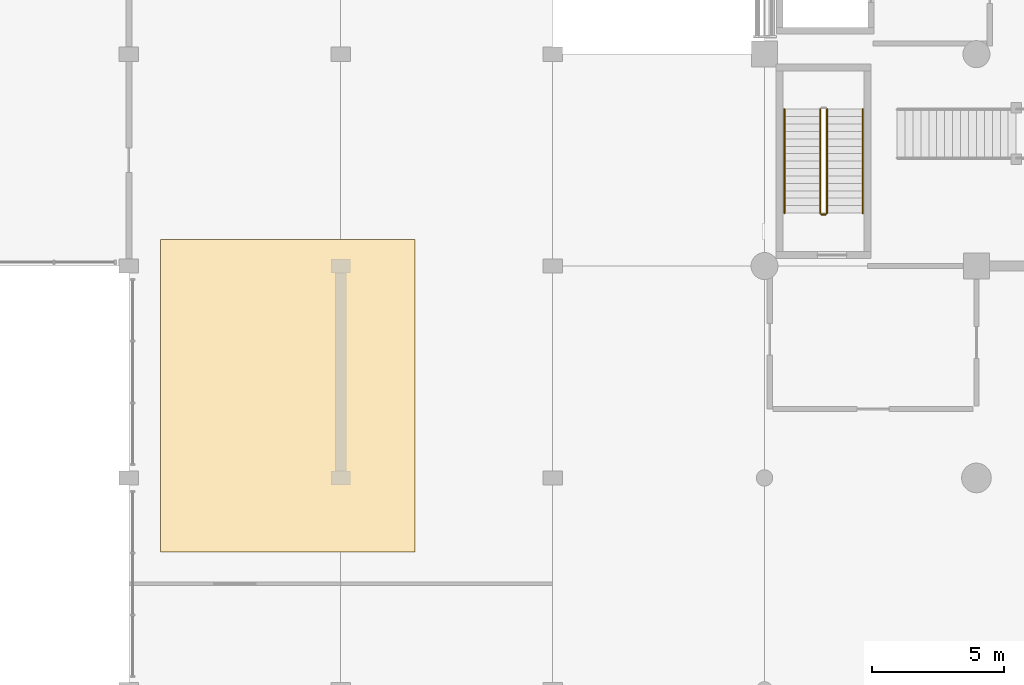
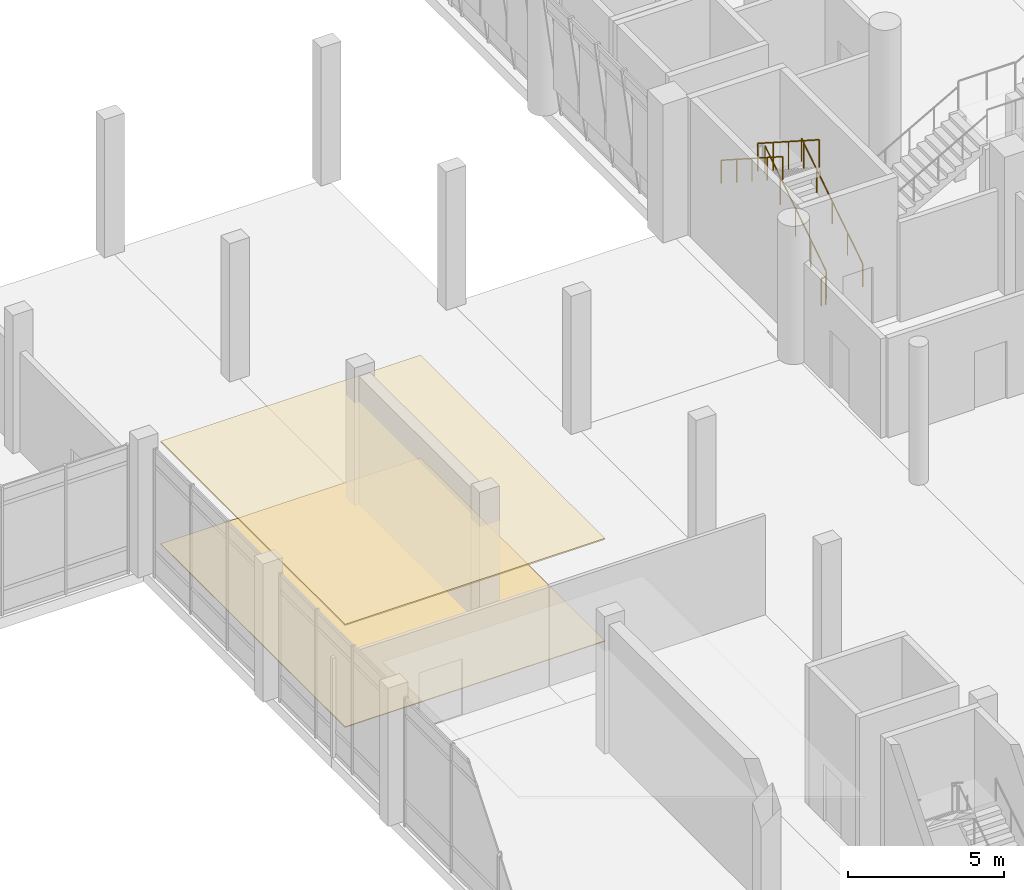
# One storey, part 36 of 42: 5 railings, 2 coverings.
"""IFC4 building model written with IfcOpenShell, lengths in metres."""

import ifcopenshell
import ifcopenshell.guid

model = None  # the IFC model being written
_history = None  # IfcOwnerHistory: only IFC2X3 demands one
_inside = {}  # id of a spatial element -> (the spatial element, [elements in it])
_under = {}  # id of a project, library or spatial element -> (it, [spatial elements below it])
_declared = {}  # id of a project -> (the project, [libraries it declares])
_typed = {}  # id of a type object -> (the type object, [elements of that type])
_made_of = {}  # id of a material, layer set ... -> (it, [elements and type objects made of it])


def new_model(schema):
    """Start an empty IFC model of exactly this schema.

    Asked for "IFC4X3", IfcOpenShell would pick the latest addendum, in which some entities
    have other attributes; the version numbers below select the first issue.
    IFC2X3 requires an IfcOwnerHistory on every rooted entity: one is made here for all.
    """
    global model, _history
    if schema == "IFC4X3":
        model = ifcopenshell.file(schema_version=(4, 3, 0, 0))
    else:
        model = ifcopenshell.file(schema=schema)
    _inside.clear()
    _under.clear()
    _declared.clear()
    _typed.clear()
    _made_of.clear()
    _history = None
    if model.schema == "IFC2X3":
        org = make("IfcOrganization", Name="unknown")
        user = make(
            "IfcPersonAndOrganization",
            ThePerson=make("IfcPerson", FamilyName="unknown"),
            TheOrganization=org,
        )
        app = make(
            "IfcApplication",
            ApplicationDeveloper=org,
            Version="unknown",
            ApplicationFullName="unknown",
            ApplicationIdentifier="unknown",
        )
        _history = make(
            "IfcOwnerHistory",
            OwningUser=user,
            OwningApplication=app,
            ChangeAction="ADDED",
            CreationDate=0,
        )
    return model


def make(cls, **values):
    """One entity of the class cls with the attributes given. An attribute that is None is left unset."""
    return model.create_entity(
        cls, **{name: value for name, value in values.items() if value is not None}
    )


def rooted(cls, **values):
    """An entity with a GlobalId (a new one), such as an element, a storey or a relation."""
    return make(cls, GlobalId=ifcopenshell.guid.new(), OwnerHistory=_history, **values)


def si_unit(unit_type, name, prefix=None):
    """IfcSIUnit, for example si_unit("LENGTHUNIT", "METRE", prefix="MILLI")."""
    return make("IfcSIUnit", UnitType=unit_type, Prefix=prefix, Name=name)


def assignment(units):
    """IfcUnitAssignment: the units of a project."""
    return None if units is None else make("IfcUnitAssignment", Units=units)


def point(xyz):
    """IfcCartesianPoint."""
    return None if xyz is None else make("IfcCartesianPoint", Coordinates=xyz)


def direction(xyz):
    """IfcDirection."""
    return None if xyz is None else make("IfcDirection", DirectionRatios=xyz)


def frame(location, z_axis=None, x_axis=None):
    """IfcAxis2Placement3D, a coordinate frame: its origin and axes. An axis left out is left unset."""
    return make(
        "IfcAxis2Placement3D",
        Location=point(location),
        Axis=direction(z_axis),
        RefDirection=direction(x_axis),
    )


def frame_2d(location, x_axis=None):
    """IfcAxis2Placement2D, a coordinate frame in the plane: its origin and x axis."""
    return make(
        "IfcAxis2Placement2D", Location=point(location), RefDirection=direction(x_axis)
    )


def origin():
    """The frame at (0, 0, 0) with its axes left unset."""
    return frame((0.0, 0.0, 0.0))


def origin_2d():
    """The frame at (0, 0) in the plane with its x axis left unset."""
    return frame_2d((0.0, 0.0))


def place(relative_to, where):
    """IfcLocalPlacement: puts the frame where relative to a parent placement (None: the world)."""
    return make(
        "IfcLocalPlacement", PlacementRelTo=relative_to, RelativePlacement=where
    )


def context(
    kind, dimensions, precision=None, world=None, true_north=None, identifier=None
):
    """IfcGeometricRepresentationContext, for example the 3D "Model" context."""
    return make(
        "IfcGeometricRepresentationContext",
        ContextIdentifier=identifier,
        ContextType=kind,
        CoordinateSpaceDimension=dimensions,
        Precision=precision,
        WorldCoordinateSystem=world,
        TrueNorth=true_north,
    )


def subcontext(parent, identifier, kind, view, scale=None):
    """IfcGeometricRepresentationSubContext, for example "Body" below "Model"."""
    return make(
        "IfcGeometricRepresentationSubContext",
        ContextIdentifier=identifier,
        ContextType=kind,
        ParentContext=parent,
        TargetScale=scale,
        TargetView=view,
    )


def project(units=None, contexts=None):
    """IfcProject with its units and contexts."""
    return rooted(
        "IfcProject",
        Name="project",
        RepresentationContexts=contexts,
        UnitsInContext=assignment(units),
    )


def spatial(cls, under=None, at=None, **own):
    """A site, building, storey or space (cls), placed at a placement, below another one or the project."""
    s = rooted(cls, ObjectPlacement=at, **own)
    if under is not None:
        _under.setdefault(under.id(), (under, []))[1].append(s)
    return s


def polyline(points):
    """IfcPolyline through the points."""
    return make("IfcPolyline", Points=[point(p) for p in points])


def profile(cls, at=None, kind="AREA", **sizes):
    """A parametric profile (cls). Its sizes go by their IFC names, for example OverallWidth=200.0."""
    return make(cls, ProfileType=kind, Position=at, **sizes)


def circle(**sizes):
    """IfcCircleProfileDef."""
    return profile("IfcCircleProfileDef", **sizes)


def outline(outer, holes=None, kind="AREA"):
    """IfcArbitraryClosedProfileDef: a profile drawn as a closed curve; with holes, ...WithVoids."""
    if holes is None:
        return make("IfcArbitraryClosedProfileDef", ProfileType=kind, OuterCurve=outer)
    return make(
        "IfcArbitraryProfileDefWithVoids",
        ProfileType=kind,
        OuterCurve=outer,
        InnerCurves=holes,
    )


def extrude(swept, where, along, depth):
    """IfcExtrudedAreaSolid: the profile swept, set in the frame where, extruded along a direction by depth."""
    return make(
        "IfcExtrudedAreaSolid",
        SweptArea=swept,
        Position=where,
        ExtrudedDirection=direction(along),
        Depth=depth,
    )


def shape(context_of_items, identifier, shape_type, items):
    """IfcShapeRepresentation: the items that make up one representation, for example the "Body"."""
    return make(
        "IfcShapeRepresentation",
        ContextOfItems=context_of_items,
        RepresentationIdentifier=identifier,
        RepresentationType=shape_type,
        Items=items,
    )


def material(Name=None, Category=None):
    """IfcMaterial."""
    return make("IfcMaterial", Name=Name, Category=Category)


def layer(
    of_material, thickness, ventilated=None, Name=None, Category=None, Priority=None
):
    """IfcMaterialLayer: one layer of a wall or slab, of a material (None: an air gap)."""
    return make(
        "IfcMaterialLayer",
        Material=of_material,
        LayerThickness=thickness,
        IsVentilated=ventilated,
        Name=Name,
        Category=Category,
        Priority=Priority,
    )


def layer_set(layers, Name=None):
    """IfcMaterialLayerSet."""
    return make("IfcMaterialLayerSet", MaterialLayers=layers, LayerSetName=Name)


def made_of(thing, what):
    """Note that an element or type object is made of a material, layer set ...; save() writes the relation."""
    if what is not None:
        _made_of.setdefault(what.id(), (what, []))[1].append(thing)
    return thing


def type_object(cls, material=None, **own):
    """A type object (cls), such as IfcWallType, which elements share."""
    return made_of(rooted(cls, **own), material)


def element(
    cls,
    number,
    at=None,
    inside=None,
    cuts=None,
    type_object=None,
    material=None,
    context=None,
    identifier="Body",
    shape_type=None,
    held_by="IfcProductDefinitionShape",
    body=None,
    shapes=None,
    **own,
):
    """One element of the class cls, such as IfcWall. Its Tag is "e" and its number.

    at: its placement. inside: the storey or other place that contains it. cuts: it is an
    opening in that element (IfcRelVoidsElement). A single representation is given by context,
    identifier, shape_type and body (its items); several are given by shapes. held_by: the class
    of the entity that holds the representations. save() writes the other relations.
    """
    e = rooted(cls, Tag="e%d" % number, ObjectPlacement=at, **own)
    if body is not None:
        shapes = [shape(context, identifier, shape_type, body)]
    if shapes is not None:
        e.Representation = make(held_by, Representations=shapes)
    if inside is not None:
        _inside.setdefault(inside.id(), (inside, []))[1].append(e)
    if cuts is not None:
        rooted(
            "IfcRelVoidsElement", RelatingBuildingElement=cuts, RelatedOpeningElement=e
        )
    if type_object is not None:
        _typed.setdefault(type_object.id(), (type_object, []))[1].append(e)
    return made_of(e, material)


def aggregate(whole, parts):
    """IfcRelAggregates: a whole, such as a stair, and the parts it consists of."""
    return rooted("IfcRelAggregates", RelatingObject=whole, RelatedObjects=parts)


def save(model, path):
    """Write the relations noted so far, then the file.

    IfcRelAggregates (storeys below a building ...), IfcRelContainedInSpatialStructure (elements
    in a storey), IfcRelDefinesByType, IfcRelAssociatesMaterial and IfcRelDeclares: one each for
    every whole, place, type object, material and project.
    """
    for whole, parts in _under.values():
        aggregate(whole, parts)
    for where, things in _inside.values():
        rooted(
            "IfcRelContainedInSpatialStructure",
            RelatedElements=things,
            RelatingStructure=where,
        )
    for kind, things in _typed.values():
        rooted("IfcRelDefinesByType", RelatedObjects=things, RelatingType=kind)
    for what, things in _made_of.values():
        rooted("IfcRelAssociatesMaterial", RelatedObjects=things, RelatingMaterial=what)
    for by, libraries in _declared.values():
        rooted("IfcRelDeclares", RelatingContext=by, RelatedDefinitions=libraries)
    model.write(path)


model = new_model("IFC4")

# Units and contexts
model_context = context("Model", 3, precision=1e-05, world=origin(), true_north=direction((0.0, 1.0)))
body_context = subcontext(model_context, "Body", "Model", "MODEL_VIEW")
ifc_project = project(units=[si_unit("LENGTHUNIT", "METRE"), si_unit("AREAUNIT", "SQUARE_METRE"), si_unit("VOLUMEUNIT", "CUBIC_METRE"), si_unit("PLANEANGLEUNIT", "RADIAN"), si_unit("MASSUNIT", "GRAM", prefix="KILO")], contexts=[model_context])

# Site, building, storey
site_placement = place(None, origin())
site = spatial("IfcSite", under=ifc_project, at=site_placement, CompositionType="ELEMENT")
building_placement = place(site_placement, origin())
building = spatial("IfcBuilding", under=site, at=building_placement, Name="Pecanmere Concourse Central Library", CompositionType="ELEMENT")
storey_placement = place(building_placement, origin())
storey = spatial("IfcBuildingStorey", under=building, at=storey_placement, Name="L01", CompositionType="ELEMENT", Elevation=0.0)

# Coverings
ifc_material_1 = material(Name="Solid white oak architectural joinery")
ifc_layer_1 = layer(ifc_material_1, 0.054931640625, Name="COV_CEIL_OAK_COFF")
ifc_layer_set_1 = layer_set([ifc_layer_1], Name="Solid white oak architectural joinery")
covering_type_1 = type_object("IfcCoveringType", Name="COV_CEIL_OAK_COFF", PredefinedType="CEILING", material=ifc_layer_set_1)
covering_1_placement = place(storey_placement, frame((0.0, 0.0, 3.97998046875)))
element("IfcCovering", 1, at=covering_1_placement, inside=storey, type_object=covering_type_1, Name="Acoustic Coffered Ceiling L01-004", PredefinedType="CEILING", context=body_context, shape_type="SweptSolid", body=[
    extrude(outline(polyline([(49.199951171875, 79.199951171875), (58.800048828125, 79.199951171875), (58.800048828125, 91.0), (49.199951171875, 91.0), (49.199951171875, 79.199951171875)])), origin(), (0.0, 0.0, 1.0), 0.054931640625),
])
ifc_material_2 = material(Name="Polished epoxy terrazzo finish")
ifc_layer_2 = layer(ifc_material_2, 0.030029296875, Name="COV_FLR_TERRAZZO")
ifc_layer_set_2 = layer_set([ifc_layer_2], Name="Polished epoxy terrazzo finish")
covering_type_2 = type_object("IfcCoveringType", Name="COV_FLR_TERRAZZO", PredefinedType="FLOORING", material=ifc_layer_set_2)
covering_2_placement = place(storey_placement, origin())
element("IfcCovering", 2, at=covering_2_placement, inside=storey, type_object=covering_type_2, Name="Finished Flooring L01-004", PredefinedType="FLOORING", context=body_context, shape_type="SweptSolid", body=[
    extrude(outline(polyline([(49.199951171875, 79.199951171875), (58.800048828125, 79.199951171875), (58.800048828125, 91.0), (49.199951171875, 91.0), (49.199951171875, 79.199951171875)])), origin(), (0.0, 0.0, 1.0), 0.030029296875),
])

# Railings
ifc_material_3 = material(Name="Painted architectural steel ASTM A36", Category="steel")
railing_type_1 = type_object("IfcRailingType", Name="RAIL_STAIR_GUARD", PredefinedType="GUARDRAIL", material=ifc_material_3)
railing_1_placement = place(storey_placement, frame((74.360107421875, 92.0, 0.179931640625)))
element("IfcRailing", 3, at=railing_1_placement, inside=storey, type_object=railing_type_1, Name="L01 ST-01 Guard 1", PredefinedType="GUARDRAIL", context=body_context, shape_type="SweptSolid", body=[
    extrude(circle(Radius=0.02392578125, at=origin_2d()), frame((0.0, 0.0, 1.076171875), z_axis=(0.0, 0.841171666519, 0.540768182723), x_axis=(-1.0, 0.0, 0.0)), (0.0, 0.0, 1.0), 4.66015625),
    extrude(circle(Radius=0.02099609375, at=origin_2d()), origin(), (0.0, 0.0, 1.0), 1.052001953125),
    extrude(circle(Radius=0.02099609375, at=origin_2d()), frame((0.0, 0.97998046875, 0.6298828125)), (0.0, 0.0, 1.0), 1.052001953125),
    extrude(circle(Radius=0.02099609375, at=origin_2d()), frame((0.0, 1.9599609375, 1.260009765625)), (0.0, 0.0, 1.0), 1.052001953125),
    extrude(circle(Radius=0.02099609375, at=origin_2d()), frame((0.0, 2.93994140625, 1.89013671875)), (0.0, 0.0, 1.0), 1.052001953125),
    extrude(circle(Radius=0.02099609375, at=origin_2d()), frame((0.0, 3.919921875, 2.52001953125)), (0.0, 0.0, 1.0), 1.052001953125),
])
railing_2_placement = place(storey_placement, frame((74.10009765625, 95.919921875, 2.8798828125)))
element("IfcRailing", 4, at=railing_2_placement, inside=storey, type_object=railing_type_1, Name="L01 ST-01 Guard 3", PredefinedType="GUARDRAIL", context=body_context, shape_type="SweptSolid", body=[
    extrude(circle(Radius=0.02392578125, at=origin_2d()), frame((0.0, 0.0, 1.076171875), z_axis=(0.0, -0.841171666519, 0.540768182723), x_axis=(1.0, 0.0, 0.0)), (0.0, 0.0, 1.0), 4.66015625),
    extrude(circle(Radius=0.02099609375, at=origin_2d()), origin(), (0.0, 0.0, 1.0), 1.052001953125),
    extrude(circle(Radius=0.02099609375, at=origin_2d()), frame((0.0, -0.97998046875, 0.6298828125)), (0.0, 0.0, 1.0), 1.052001953125),
    extrude(circle(Radius=0.02099609375, at=origin_2d()), frame((0.0, -1.9599609375, 1.260009765625)), (0.0, 0.0, 1.0), 1.052001953125),
    extrude(circle(Radius=0.02099609375, at=origin_2d()), frame((0.0, -2.93994140625, 1.89013671875)), (0.0, 0.0, 1.0), 1.052001953125),
    extrude(circle(Radius=0.02099609375, at=origin_2d()), frame((0.0, -3.919921875, 2.52001953125)), (0.0, 0.0, 1.0), 1.052001953125),
])
railing_3_placement = place(storey_placement, frame((74.31005859375, 91.949951171875, 0.0)))
element("IfcRailing", 5, at=railing_3_placement, inside=storey, type_object=railing_type_1, Name="L01 ST-01 Guard 4", PredefinedType="GUARDRAIL", context=body_context, shape_type="SweptSolid", body=[
    extrude(circle(Radius=0.02392578125, at=origin_2d()), frame((0.0, 0.0, 1.076171875), z_axis=(-1.0, 0.0, 0.0), x_axis=(0.0, -1.0, 0.0)), (0.0, 0.0, 1.0), 0.16015625),
    extrude(circle(Radius=0.02099609375, at=origin_2d()), origin(), (0.0, 0.0, 1.0), 1.052001953125),
    extrude(circle(Radius=0.02099609375, at=origin_2d()), frame((-0.16015625, 0.0, 0.0)), (0.0, 0.0, 1.0), 1.052001953125),
])
ifc_material_4 = material(Name="Brushed stainless steel Grade 316", Category="steel")
railing_type_2 = type_object("IfcRailingType", Name="RAIL_STAIR_HR", PredefinedType="HANDRAIL", material=ifc_material_4)
railing_4_placement = place(storey_placement, frame((75.7099609375, 92.0, 0.179931640625)))
element("IfcRailing", 6, at=railing_4_placement, inside=storey, type_object=railing_type_2, Name="L01 ST-01 Handrail 1", PredefinedType="HANDRAIL", context=body_context, shape_type="SweptSolid", body=[
    extrude(circle(Radius=0.02392578125, at=origin_2d()), frame((0.0, 0.0, 0.89111328125), z_axis=(0.0, 0.841171666519, 0.540768182723), x_axis=(-1.0, 0.0, 0.0)), (0.0, 0.0, 1.0), 4.66015625),
    extrude(circle(Radius=0.02099609375, at=origin_2d()), origin(), (0.0, 0.0, 1.0), 0.866943359375),
    extrude(circle(Radius=0.02099609375, at=origin_2d()), frame((0.0, 0.97998046875, 0.6298828125)), (0.0, 0.0, 1.0), 0.866943359375),
    extrude(circle(Radius=0.02099609375, at=origin_2d()), frame((0.0, 1.9599609375, 1.260009765625)), (0.0, 0.0, 1.0), 0.866943359375),
    extrude(circle(Radius=0.02099609375, at=origin_2d()), frame((0.0, 2.93994140625, 1.89013671875)), (0.0, 0.0, 1.0), 0.866943359375),
    extrude(circle(Radius=0.02099609375, at=origin_2d()), frame((0.0, 3.919921875, 2.52001953125)), (0.0, 0.0, 1.0), 0.866943359375),
])
railing_5_placement = place(storey_placement, frame((72.75, 95.919921875, 2.8798828125)))
element("IfcRailing", 7, at=railing_5_placement, inside=storey, type_object=railing_type_2, Name="L01 ST-01 Handrail 2", PredefinedType="HANDRAIL", context=body_context, shape_type="SweptSolid", body=[
    extrude(circle(Radius=0.02392578125, at=origin_2d()), frame((0.0, 0.0, 0.89111328125), z_axis=(0.0, -0.841171666519, 0.540768182723), x_axis=(1.0, 0.0, 0.0)), (0.0, 0.0, 1.0), 4.66015625),
    extrude(circle(Radius=0.02099609375, at=origin_2d()), origin(), (0.0, 0.0, 1.0), 0.866943359375),
    extrude(circle(Radius=0.02099609375, at=origin_2d()), frame((0.0, -0.97998046875, 0.6298828125)), (0.0, 0.0, 1.0), 0.866943359375),
    extrude(circle(Radius=0.02099609375, at=origin_2d()), frame((0.0, -1.9599609375, 1.260009765625)), (0.0, 0.0, 1.0), 0.866943359375),
    extrude(circle(Radius=0.02099609375, at=origin_2d()), frame((0.0, -2.93994140625, 1.89013671875)), (0.0, 0.0, 1.0), 0.866943359375),
    extrude(circle(Radius=0.02099609375, at=origin_2d()), frame((0.0, -3.919921875, 2.52001953125)), (0.0, 0.0, 1.0), 0.866943359375),
])

save(model, "model.ifc")
